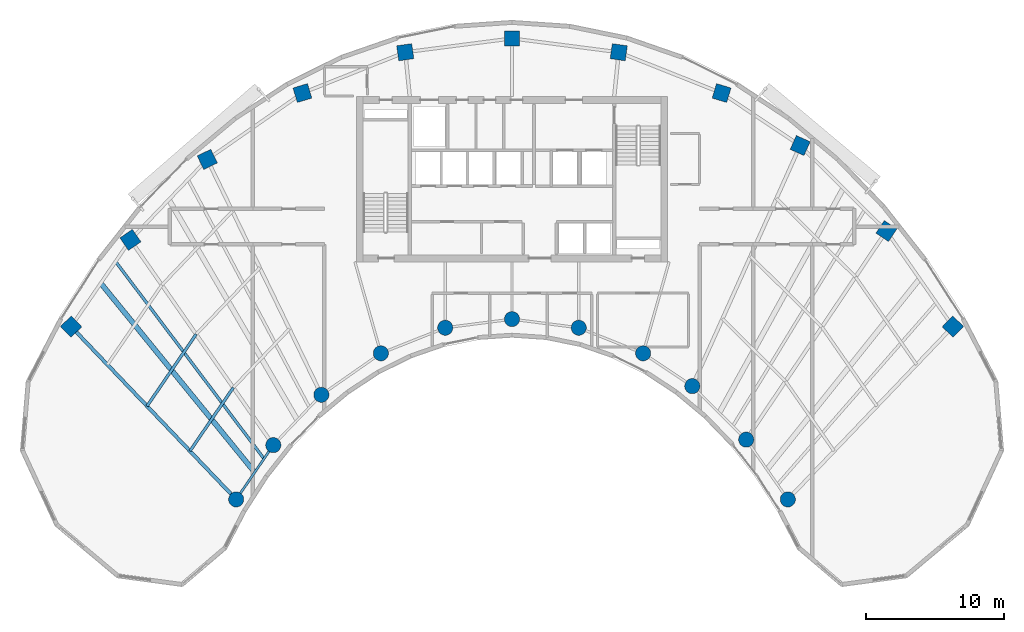
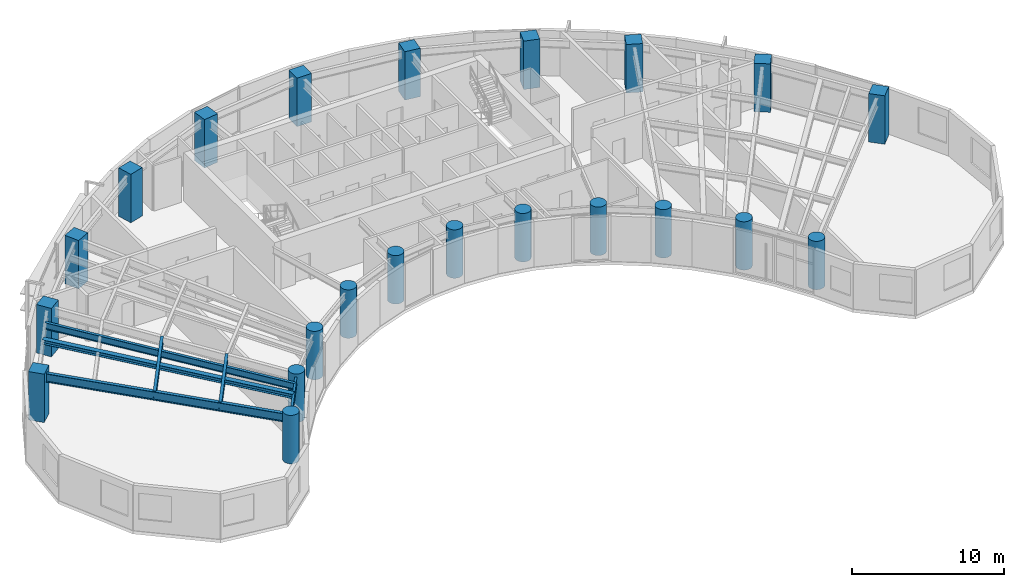
# One storey, part 1 of 14: 22 columns, 6 beams.
"""IFC4 building model written with IfcOpenShell, lengths in metres."""

from ifc_helpers import new_model, si_unit, direction, frame, origin, origin_2d, place, context, subcontext, project, spatial, rectangle, circle, i_section, extrude, source, transform, mapped, material, material_profile, profile_set, type_object, type_shapes, element, save


model = new_model("IFC4")

# Units and contexts
model_context = context("Model", 3, precision=1e-05, world=origin(), true_north=direction((0.0, 1.0)))
body_context = subcontext(model_context, "Body", "Model", "MODEL_VIEW")
ifc_project = project(units=[si_unit("LENGTHUNIT", "METRE"), si_unit("AREAUNIT", "SQUARE_METRE"), si_unit("VOLUMEUNIT", "CUBIC_METRE"), si_unit("PLANEANGLEUNIT", "RADIAN"), si_unit("MASSUNIT", "GRAM", prefix="KILO")], contexts=[model_context])

# Site, building, storey
site_placement = place(None, origin())
site = spatial("IfcSite", under=ifc_project, at=site_placement, CompositionType="ELEMENT")
building_placement = place(site_placement, origin())
building = spatial("IfcBuilding", under=site, at=building_placement, Name="Breltana Convention Tower", CompositionType="ELEMENT")
storey_placement = place(building_placement, frame((0.0, 0.0, 177.89990234375)))
storey = spatial("IfcBuildingStorey", under=building, at=storey_placement, Name="L43", CompositionType="ELEMENT", Elevation=177.89990234375)

# Columns
ifc_material_1 = material(Name="Concrete C60/75", Category="concrete")
ifc_material_profile_1 = material_profile(ifc_material_1, rectangle(XDim=1.10009765625, YDim=1.10009765625, at=origin_2d()), Name="RC-COL-1100X1100")
ifc_profile_set_1 = profile_set([ifc_material_profile_1], Name="Concrete C60/75")
column_type_1 = type_object("IfcColumnType", Name="COL-RC-1100", PredefinedType="COLUMN", material=ifc_profile_set_1)
shared_shape_1 = source(origin(), body_context, "Body", "SweptSolid", [
    extrude(rectangle(XDim=1.10009765625, YDim=1.10009765625, at=origin_2d()), origin(), (0.0, 0.0, 1.0), 3.900146484375),
])
for number, where, z_axis, x_axis, name in (
    (1, (16.0068359375, 55.494384765625, 0.0), (0.0, 0.0, 1.0), (-0.690756218984, 0.723087716626, 0.0), "L43 Tower Column R01-OUT"),
    (2, (20.310791015625, 61.78857421875, 0.0), (0.0, 0.0, 1.0), (-0.571143442153, 0.820850271661, 0.0), "L43 Tower Column R02-OUT"),
    (3, (25.8876953125, 67.626953125, 0.0), (0.0, 0.0, 1.0), (-0.436173672171, 0.899862504889, 0.0), "L43 Tower Column R03-OUT"),
    (4, (32.791015625, 72.4423828125, 0.0), (0.0, 0.0, 1.0), (-0.288697611798, 0.957420330337, 0.0), "L43 Tower Column R04-OUT"),
    (5, (40.253173828125, 75.404296875, 0.0), (0.0, 0.0, 1.0), (-0.143492621991, 0.98965138682, 0.0), "L43 Tower Column R05-OUT"),
    (6, (48.0, 76.404052734375, 0.0), (0.0, 0.0, 1.0), (0.0, 1.0, 0.0), "L43 Tower Column R06-OUT"),
    (7, (55.746826171875, 75.404296875, 0.0), (0.0, 0.0, 1.0), (0.143492621991, 0.98965138682, 0.0), "L43 Tower Column R07-OUT"),
    (8, (63.208984375, 72.4423828125, 0.0), (0.0, 0.0, 1.0), (0.288697611798, 0.957420330337, 0.0), "L43 Tower Column R08-OUT"),
    (9, (68.910400390625, 68.63330078125, 0.0), (0.0, 0.0, 1.0), (0.409126902895, 0.912477494148, 0.0), "L43 Tower Column R09-OUT"),
    (10, (75.166748046875, 62.43017578125, 0.0), (0.0, 0.0, 1.0), (0.55774510898, 0.830012285095, 0.0), "L43 Tower Column R10-OUT"),
    (11, (79.9931640625, 55.494384765625, 0.0), (0.0, 0.0, 1.0), (0.690756218984, 0.723087716626, 0.0), "L43 Tower Column R11-OUT"),
):
    element("IfcColumn", number, at=place(storey_placement, frame(where, z_axis=z_axis, x_axis=x_axis)), inside=storey, type_object=column_type_1, Name=name, PredefinedType="COLUMN", context=body_context, shape_type="MappedRepresentation", body=[
        mapped(shared_shape_1, transform((0.0, 0.0, 0.0), scale=1.0)),
    ])
ifc_material_2 = material(Name="Concrete C50/60", Category="concrete")
ifc_material_profile_2 = material_profile(ifc_material_2, circle(Radius=0.550048828125, at=origin_2d()), Name="RC-COL-D1100")
ifc_profile_set_2 = profile_set([ifc_material_profile_2], Name="Concrete C50/60")
column_type_2 = type_object("IfcColumnType", Name="COL-RC-D1100", PredefinedType="COLUMN", material=ifc_profile_set_2)
shared_shape_2 = source(origin(), body_context, "Body", "SweptSolid", [
    extrude(circle(Radius=0.550048828125, at=origin_2d()), origin(), (0.0, 0.0, 1.0), 3.900146484375),
])
for number, where, z_axis, x_axis, name in (
    (12, (27.984619140625, 42.95458984375, 0.0), (0.0, 0.0, 1.0), (-0.690756218984, 0.723087716626, 0.0), "L43 Tower Column R01-IN"),
    (13, (30.67724609375, 46.892333984375, 0.0), (0.0, 0.0, 1.0), (-0.571143442153, 0.820850271661, 0.0), "L43 Tower Column R02-IN"),
    (14, (34.166259765625, 50.544921875, 0.0), (0.0, 0.0, 1.0), (-0.436173672171, 0.899862504889, 0.0), "L43 Tower Column R03-IN"),
    (15, (38.485107421875, 53.5576171875, 0.0), (0.0, 0.0, 1.0), (-0.288697611798, 0.957420330337, 0.0), "L43 Tower Column R04-IN"),
    (16, (43.153564453125, 55.41064453125, 0.0), (0.0, 0.0, 1.0), (-0.143492621991, 0.98965138682, 0.0), "L43 Tower Column R05-IN"),
    (17, (48.0, 56.035888671875, 0.0), (0.0, 0.0, 1.0), (0.0, 1.0, 0.0), "L43 Tower Column R06-IN"),
    (18, (52.846435546875, 55.41064453125, 0.0), (0.0, 0.0, 1.0), (0.143492621991, 0.98965138682, 0.0), "L43 Tower Column R07-IN"),
    (19, (57.514892578125, 53.5576171875, 0.0), (0.0, 0.0, 1.0), (0.288697611798, 0.957420330337, 0.0), "L43 Tower Column R08-IN"),
    (20, (61.08203125, 51.174560546875, 0.0), (0.0, 0.0, 1.0), (0.409126902895, 0.912477494148, 0.0), "L43 Tower Column R09-IN"),
    (21, (64.995849609375, 47.293701171875, 0.0), (0.0, 0.0, 1.0), (0.55774510898, 0.830012285095, 0.0), "L43 Tower Column R10-IN"),
    (22, (68.015380859375, 42.95458984375, 0.0), (0.0, 0.0, 1.0), (0.690756218984, 0.723087716626, 0.0), "L43 Tower Column R11-IN"),
):
    element("IfcColumn", number, at=place(storey_placement, frame(where, z_axis=z_axis, x_axis=x_axis)), inside=storey, type_object=column_type_2, Name=name, PredefinedType="COLUMN", context=body_context, shape_type="MappedRepresentation", body=[
        mapped(shared_shape_2, transform((0.0, 0.0, 0.0), scale=1.0)),
    ])

# Beams
ifc_material_3 = material(Name="Steel ASTM A992 Grade 50", Category="steel")
ifc_material_profile_3 = material_profile(ifc_material_3, i_section(OverallWidth=0.2099609375, OverallDepth=0.537109375, WebThickness=0.010986328125, FlangeThickness=0.017333984375, at=origin_2d()), Name="W21X68")
ifc_profile_set_3 = profile_set([ifc_material_profile_3], Name="Steel ASTM A992 Grade 50")
beam_type_1 = type_object("IfcBeamType", Name="BM-JSG-04", PredefinedType="JOIST", material=ifc_profile_set_3)
shared_shape_3 = source(origin(), body_context, "Body", "SweptSolid", [
    extrude(i_section(OverallWidth=0.2099609375, OverallDepth=0.537109375, WebThickness=0.010986328125, FlangeThickness=0.017333984375, at=origin_2d()), origin(), (0.0, 0.0, 1.0), 5.569580078125),
])
type_shapes(beam_type_1, [shared_shape_3])
beam_1_placement = place(storey_placement, frame((24.630615234375, 46.4658203125, 3.381591796875), z_axis=(0.564493760458, 0.825437335237, 0.0), x_axis=(-0.825437335237, 0.564493760458, 0.0)))
element("IfcBeam", 23, at=beam_1_placement, inside=storey, type_object=beam_type_1, Name="L43 Composite Floor Joist 01.1", PredefinedType="JOIST", context=body_context, shape_type="MappedRepresentation", body=[
    mapped(shared_shape_3, transform((0.0, 0.0, 0.0), scale=1.0)),
])
shared_shape_4 = source(origin(), body_context, "Body", "SweptSolid", [
    extrude(i_section(OverallWidth=0.2099609375, OverallDepth=0.537109375, WebThickness=0.010986328125, FlangeThickness=0.017333984375, at=origin_2d()), origin(), (0.0, 0.0, 1.0), 6.311767578125),
])
beam_2_placement = place(storey_placement, frame((21.5166015625, 49.72607421875, 3.381591796875), z_axis=(0.564453712577, 0.825464721449, 0.0), x_axis=(-0.825464721449, 0.564453712577, 0.0)))
element("IfcBeam", 24, at=beam_2_placement, inside=storey, type_object=beam_type_1, Name="L43 Composite Floor Joist 01.2", PredefinedType="JOIST", context=body_context, shape_type="MappedRepresentation", body=[
    mapped(shared_shape_4, transform((0.0, 0.0, 0.0), scale=1.0)),
])
ifc_material_profile_4 = material_profile(ifc_material_3, i_section(OverallWidth=0.368896484375, OverallDepth=0.35595703125, WebThickness=0.01123046875, FlangeThickness=0.01806640625, at=origin_2d()), Name="W14X90")
ifc_profile_set_4 = profile_set([ifc_material_profile_4], Name="Steel ASTM A992 Grade 50")
beam_type_2 = type_object("IfcBeamType", Name="BM-JSG-09", PredefinedType="JOIST", material=ifc_profile_set_4)
shared_shape_5 = source(origin(), body_context, "Body", "SweptSolid", [
    extrude(i_section(OverallWidth=0.368896484375, OverallDepth=0.35595703125, WebThickness=0.01123046875, FlangeThickness=0.01806640625, at=origin_2d()), origin(), (0.0, 0.0, 1.0), 17.691650390625),
])
type_shapes(beam_type_2, [shared_shape_5])
beam_3_placement = place(storey_placement, frame((29.330810546875, 44.923583984375, 3.47216796875), z_axis=(-0.631476958478, 0.775394642044, 0.0), x_axis=(-0.775394642044, -0.631476958478, 0.0)))
element("IfcBeam", 25, at=beam_3_placement, inside=storey, type_object=beam_type_2, Name="L43 Mid-Bay Radial Trimmer 01", PredefinedType="JOIST", context=body_context, shape_type="MappedRepresentation", body=[
    mapped(shared_shape_5, transform((0.0, 0.0, 0.0), scale=1.0)),
])
shared_shape_6 = source(origin(), body_context, "Body", "SweptSolid", [
    extrude(i_section(OverallWidth=0.2099609375, OverallDepth=0.537109375, WebThickness=0.010986328125, FlangeThickness=0.017333984375, at=origin_2d()), origin(), (0.0, 0.0, 1.0), 17.9072265625),
])
beam_4_placement = place(storey_placement, frame((30.00390625, 45.907958984375, 3.381591796875), z_axis=(-0.601382105028, 0.798961553363, 0.0), x_axis=(-0.798961553363, -0.601382105028, 0.0)))
element("IfcBeam", 26, at=beam_4_placement, inside=storey, type_object=beam_type_1, Name="L43 Quarter-Bay Radial Trimmer 01", PredefinedType="JOIST", context=body_context, shape_type="MappedRepresentation", body=[
    mapped(shared_shape_6, transform((0.0, 0.0, 0.0), scale=1.0)),
])
ifc_material_profile_5 = material_profile(ifc_material_3, i_section(OverallWidth=0.25390625, OverallDepth=0.68798828125, WebThickness=0.01318359375, FlangeThickness=0.02099609375, at=origin_2d()), Name="W27X102")
ifc_profile_set_5 = profile_set([ifc_material_profile_5], Name="Steel ASTM A992 Grade 50")
beam_type_3 = type_object("IfcBeamType", Name="BM-RG-W27X102", PredefinedType="USERDEFINED", material=ifc_profile_set_5)
shared_shape_7 = source(origin(), body_context, "Body", "SweptSolid", [
    extrude(i_section(OverallWidth=0.25390625, OverallDepth=0.68798828125, WebThickness=0.01318359375, FlangeThickness=0.02099609375, at=origin_2d()), origin(), (0.0, 0.0, 1.0), 17.341064453125),
])
type_shapes(beam_type_3, [shared_shape_7])
beam_5_placement = place(storey_placement, frame((27.984619140625, 42.95458984375, 3.30615234375), z_axis=(-0.690716462293, 0.723125693581, 0.0), x_axis=(-0.723125693581, -0.690716462293, 0.0)))
element("IfcBeam", 27, at=beam_5_placement, inside=storey, type_object=beam_type_3, Name="L43 Radial Floor Girder R01", ObjectType="GIRDER", PredefinedType="USERDEFINED", context=body_context, shape_type="MappedRepresentation", body=[
    mapped(shared_shape_7, transform((0.0, 0.0, 0.0), scale=1.0)),
])
ifc_material_profile_6 = material_profile(ifc_material_3, i_section(OverallWidth=0.166015625, OverallDepth=0.534912109375, WebThickness=0.01025390625, FlangeThickness=0.0166015625, at=origin_2d()), Name="W21X57")
ifc_profile_set_6 = profile_set([ifc_material_profile_6], Name="Steel ASTM A992 Grade 50")
beam_type_4 = type_object("IfcBeamType", Name="BM-BM-W21X57", PredefinedType="BEAM", material=ifc_profile_set_6)
shared_shape_8 = source(origin(), body_context, "Body", "SweptSolid", [
    extrude(i_section(OverallWidth=0.166015625, OverallDepth=0.534912109375, WebThickness=0.01025390625, FlangeThickness=0.0166015625, at=origin_2d()), origin(), (0.0, 0.0, 1.0), 4.770263671875),
])
beam_6_placement = place(storey_placement, frame((27.984619140625, 42.95458984375, 3.382568359375), z_axis=(0.564452719055, 0.82546540082, 0.0), x_axis=(-0.82546540082, 0.564452719055, 0.0)))
element("IfcBeam", 28, at=beam_6_placement, inside=storey, type_object=beam_type_4, Name="L43 Inner Ring Beam 01", PredefinedType="BEAM", context=body_context, shape_type="MappedRepresentation", body=[
    mapped(shared_shape_8, transform((0.0, 0.0, 0.0), scale=1.0)),
])

save(model, "model.ifc")
